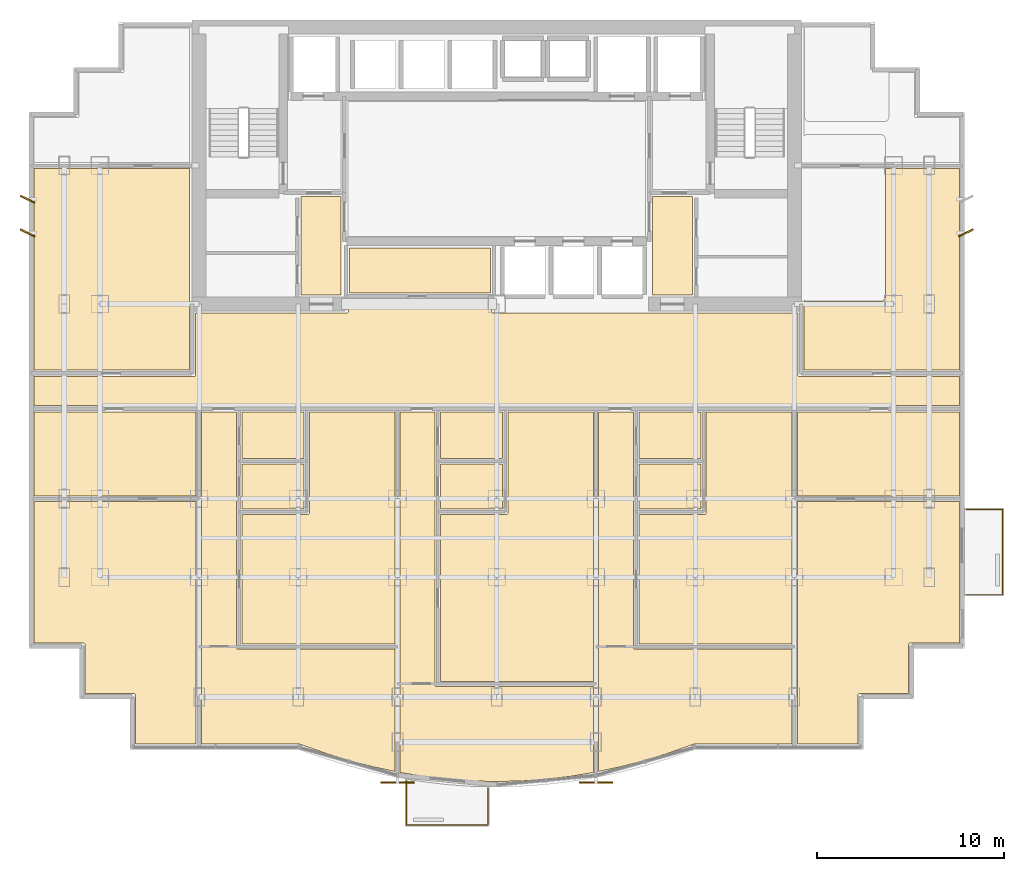
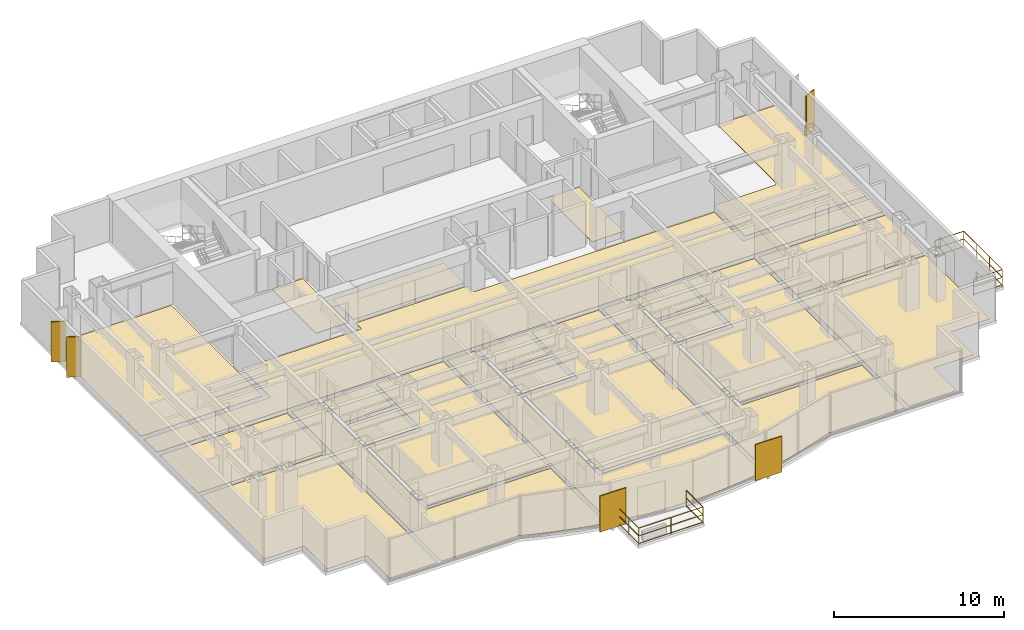
# One storey, part 8 of 9: 22 coverings, 5 shading devices, 2 railings.
"""IFC4 building model written with IfcOpenShell, lengths in metres."""

import ifcopenshell
import ifcopenshell.guid

model = None  # the IFC model being written
_history = None  # IfcOwnerHistory: only IFC2X3 demands one
_inside = {}  # id of a spatial element -> (the spatial element, [elements in it])
_under = {}  # id of a project, library or spatial element -> (it, [spatial elements below it])
_declared = {}  # id of a project -> (the project, [libraries it declares])
_typed = {}  # id of a type object -> (the type object, [elements of that type])
_made_of = {}  # id of a material, layer set ... -> (it, [elements and type objects made of it])


def new_model(schema):
    """Start an empty IFC model of exactly this schema.

    Asked for "IFC4X3", IfcOpenShell would pick the latest addendum, in which some entities
    have other attributes; the version numbers below select the first issue.
    IFC2X3 requires an IfcOwnerHistory on every rooted entity: one is made here for all.
    """
    global model, _history
    if schema == "IFC4X3":
        model = ifcopenshell.file(schema_version=(4, 3, 0, 0))
    else:
        model = ifcopenshell.file(schema=schema)
    _inside.clear()
    _under.clear()
    _declared.clear()
    _typed.clear()
    _made_of.clear()
    _history = None
    if model.schema == "IFC2X3":
        org = make("IfcOrganization", Name="unknown")
        user = make(
            "IfcPersonAndOrganization",
            ThePerson=make("IfcPerson", FamilyName="unknown"),
            TheOrganization=org,
        )
        app = make(
            "IfcApplication",
            ApplicationDeveloper=org,
            Version="unknown",
            ApplicationFullName="unknown",
            ApplicationIdentifier="unknown",
        )
        _history = make(
            "IfcOwnerHistory",
            OwningUser=user,
            OwningApplication=app,
            ChangeAction="ADDED",
            CreationDate=0,
        )
    return model


def make(cls, **values):
    """One entity of the class cls with the attributes given. An attribute that is None is left unset."""
    return model.create_entity(
        cls, **{name: value for name, value in values.items() if value is not None}
    )


def rooted(cls, **values):
    """An entity with a GlobalId (a new one), such as an element, a storey or a relation."""
    return make(cls, GlobalId=ifcopenshell.guid.new(), OwnerHistory=_history, **values)


def si_unit(unit_type, name, prefix=None):
    """IfcSIUnit, for example si_unit("LENGTHUNIT", "METRE", prefix="MILLI")."""
    return make("IfcSIUnit", UnitType=unit_type, Prefix=prefix, Name=name)


def assignment(units):
    """IfcUnitAssignment: the units of a project."""
    return None if units is None else make("IfcUnitAssignment", Units=units)


def point(xyz):
    """IfcCartesianPoint."""
    return None if xyz is None else make("IfcCartesianPoint", Coordinates=xyz)


def direction(xyz):
    """IfcDirection."""
    return None if xyz is None else make("IfcDirection", DirectionRatios=xyz)


def frame(location, z_axis=None, x_axis=None):
    """IfcAxis2Placement3D, a coordinate frame: its origin and axes. An axis left out is left unset."""
    return make(
        "IfcAxis2Placement3D",
        Location=point(location),
        Axis=direction(z_axis),
        RefDirection=direction(x_axis),
    )


def frame_2d(location, x_axis=None):
    """IfcAxis2Placement2D, a coordinate frame in the plane: its origin and x axis."""
    return make(
        "IfcAxis2Placement2D", Location=point(location), RefDirection=direction(x_axis)
    )


def origin():
    """The frame at (0, 0, 0) with its axes left unset."""
    return frame((0.0, 0.0, 0.0))


def origin_2d():
    """The frame at (0, 0) in the plane with its x axis left unset."""
    return frame_2d((0.0, 0.0))


def place(relative_to, where):
    """IfcLocalPlacement: puts the frame where relative to a parent placement (None: the world)."""
    return make(
        "IfcLocalPlacement", PlacementRelTo=relative_to, RelativePlacement=where
    )


def context(
    kind, dimensions, precision=None, world=None, true_north=None, identifier=None
):
    """IfcGeometricRepresentationContext, for example the 3D "Model" context."""
    return make(
        "IfcGeometricRepresentationContext",
        ContextIdentifier=identifier,
        ContextType=kind,
        CoordinateSpaceDimension=dimensions,
        Precision=precision,
        WorldCoordinateSystem=world,
        TrueNorth=true_north,
    )


def subcontext(parent, identifier, kind, view, scale=None):
    """IfcGeometricRepresentationSubContext, for example "Body" below "Model"."""
    return make(
        "IfcGeometricRepresentationSubContext",
        ContextIdentifier=identifier,
        ContextType=kind,
        ParentContext=parent,
        TargetScale=scale,
        TargetView=view,
    )


def project(units=None, contexts=None):
    """IfcProject with its units and contexts."""
    return rooted(
        "IfcProject",
        Name="project",
        RepresentationContexts=contexts,
        UnitsInContext=assignment(units),
    )


def spatial(cls, under=None, at=None, **own):
    """A site, building, storey or space (cls), placed at a placement, below another one or the project."""
    s = rooted(cls, ObjectPlacement=at, **own)
    if under is not None:
        _under.setdefault(under.id(), (under, []))[1].append(s)
    return s


def polyline(points):
    """IfcPolyline through the points."""
    return make("IfcPolyline", Points=[point(p) for p in points])


def profile(cls, at=None, kind="AREA", **sizes):
    """A parametric profile (cls). Its sizes go by their IFC names, for example OverallWidth=200.0."""
    return make(cls, ProfileType=kind, Position=at, **sizes)


def rectangle(**sizes):
    """IfcRectangleProfileDef."""
    return profile("IfcRectangleProfileDef", **sizes)


def circle(**sizes):
    """IfcCircleProfileDef."""
    return profile("IfcCircleProfileDef", **sizes)


def outline(outer, holes=None, kind="AREA"):
    """IfcArbitraryClosedProfileDef: a profile drawn as a closed curve; with holes, ...WithVoids."""
    if holes is None:
        return make("IfcArbitraryClosedProfileDef", ProfileType=kind, OuterCurve=outer)
    return make(
        "IfcArbitraryProfileDefWithVoids",
        ProfileType=kind,
        OuterCurve=outer,
        InnerCurves=holes,
    )


def extrude(swept, where, along, depth):
    """IfcExtrudedAreaSolid: the profile swept, set in the frame where, extruded along a direction by depth."""
    return make(
        "IfcExtrudedAreaSolid",
        SweptArea=swept,
        Position=where,
        ExtrudedDirection=direction(along),
        Depth=depth,
    )


def shape(context_of_items, identifier, shape_type, items):
    """IfcShapeRepresentation: the items that make up one representation, for example the "Body"."""
    return make(
        "IfcShapeRepresentation",
        ContextOfItems=context_of_items,
        RepresentationIdentifier=identifier,
        RepresentationType=shape_type,
        Items=items,
    )


def source(mapping_origin, context_of_items, identifier, shape_type, items):
    """IfcRepresentationMap: a shape defined once, which mapped items show again and again."""
    return make(
        "IfcRepresentationMap",
        MappingOrigin=mapping_origin,
        MappedRepresentation=shape(context_of_items, identifier, shape_type, items),
    )


def transform(
    local_origin,
    x_axis=None,
    y_axis=None,
    z_axis=None,
    scale=None,
    scale2=None,
    scale3=None,
    uniform=True,
):
    """IfcCartesianTransformationOperator3D, or its non-uniform kind. x_axis, y_axis, z_axis: its Axis1, 2, 3."""
    if uniform:
        return make(
            "IfcCartesianTransformationOperator3D",
            Axis1=direction(x_axis),
            Axis2=direction(y_axis),
            LocalOrigin=point(local_origin),
            Scale=scale,
            Axis3=direction(z_axis),
        )
    return make(
        "IfcCartesianTransformationOperator3DnonUniform",
        Axis1=direction(x_axis),
        Axis2=direction(y_axis),
        LocalOrigin=point(local_origin),
        Scale=scale,
        Axis3=direction(z_axis),
        Scale2=scale2,
        Scale3=scale3,
    )


def mapped(mapping_source, mapping_target):
    """IfcMappedItem: shows the shape of a source again, moved by a transform."""
    return make(
        "IfcMappedItem", MappingSource=mapping_source, MappingTarget=mapping_target
    )


def material(Name=None, Category=None):
    """IfcMaterial."""
    return make("IfcMaterial", Name=Name, Category=Category)


def layer(
    of_material, thickness, ventilated=None, Name=None, Category=None, Priority=None
):
    """IfcMaterialLayer: one layer of a wall or slab, of a material (None: an air gap)."""
    return make(
        "IfcMaterialLayer",
        Material=of_material,
        LayerThickness=thickness,
        IsVentilated=ventilated,
        Name=Name,
        Category=Category,
        Priority=Priority,
    )


def layer_set(layers, Name=None):
    """IfcMaterialLayerSet."""
    return make("IfcMaterialLayerSet", MaterialLayers=layers, LayerSetName=Name)


def made_of(thing, what):
    """Note that an element or type object is made of a material, layer set ...; save() writes the relation."""
    if what is not None:
        _made_of.setdefault(what.id(), (what, []))[1].append(thing)
    return thing


def type_object(cls, material=None, **own):
    """A type object (cls), such as IfcWallType, which elements share."""
    return made_of(rooted(cls, **own), material)


def element(
    cls,
    number,
    at=None,
    inside=None,
    cuts=None,
    type_object=None,
    material=None,
    context=None,
    identifier="Body",
    shape_type=None,
    held_by="IfcProductDefinitionShape",
    body=None,
    shapes=None,
    **own,
):
    """One element of the class cls, such as IfcWall. Its Tag is "e" and its number.

    at: its placement. inside: the storey or other place that contains it. cuts: it is an
    opening in that element (IfcRelVoidsElement). A single representation is given by context,
    identifier, shape_type and body (its items); several are given by shapes. held_by: the class
    of the entity that holds the representations. save() writes the other relations.
    """
    e = rooted(cls, Tag="e%d" % number, ObjectPlacement=at, **own)
    if body is not None:
        shapes = [shape(context, identifier, shape_type, body)]
    if shapes is not None:
        e.Representation = make(held_by, Representations=shapes)
    if inside is not None:
        _inside.setdefault(inside.id(), (inside, []))[1].append(e)
    if cuts is not None:
        rooted(
            "IfcRelVoidsElement", RelatingBuildingElement=cuts, RelatedOpeningElement=e
        )
    if type_object is not None:
        _typed.setdefault(type_object.id(), (type_object, []))[1].append(e)
    return made_of(e, material)


def aggregate(whole, parts):
    """IfcRelAggregates: a whole, such as a stair, and the parts it consists of."""
    return rooted("IfcRelAggregates", RelatingObject=whole, RelatedObjects=parts)


def save(model, path):
    """Write the relations noted so far, then the file.

    IfcRelAggregates (storeys below a building ...), IfcRelContainedInSpatialStructure (elements
    in a storey), IfcRelDefinesByType, IfcRelAssociatesMaterial and IfcRelDeclares: one each for
    every whole, place, type object, material and project.
    """
    for whole, parts in _under.values():
        aggregate(whole, parts)
    for where, things in _inside.values():
        rooted(
            "IfcRelContainedInSpatialStructure",
            RelatedElements=things,
            RelatingStructure=where,
        )
    for kind, things in _typed.values():
        rooted("IfcRelDefinesByType", RelatedObjects=things, RelatingType=kind)
    for what, things in _made_of.values():
        rooted("IfcRelAssociatesMaterial", RelatedObjects=things, RelatingMaterial=what)
    for by, libraries in _declared.values():
        rooted("IfcRelDeclares", RelatingContext=by, RelatedDefinitions=libraries)
    model.write(path)


model = new_model("IFC4")

# Units and contexts
model_context = context("Model", 3, precision=1e-05, world=origin(), true_north=direction((0.0, 1.0)))
body_context = subcontext(model_context, "Body", "Model", "MODEL_VIEW")
ifc_project = project(units=[si_unit("LENGTHUNIT", "METRE"), si_unit("AREAUNIT", "SQUARE_METRE"), si_unit("VOLUMEUNIT", "CUBIC_METRE"), si_unit("PLANEANGLEUNIT", "RADIAN"), si_unit("MASSUNIT", "GRAM", prefix="KILO")], contexts=[model_context])

# Site, building, storey
site_placement = place(None, origin())
site = spatial("IfcSite", under=ifc_project, at=site_placement, CompositionType="ELEMENT")
building_placement = place(site_placement, origin())
building = spatial("IfcBuilding", under=site, at=building_placement, Name="Qianlan Lanfeng Residences", CompositionType="ELEMENT")
storey_placement = place(building_placement, frame((0.0, 0.0, 108.10009765625)))
storey = spatial("IfcBuildingStorey", under=building, at=storey_placement, Name="L29", CompositionType="ELEMENT", Elevation=108.10009765625)

# Coverings
ifc_material_1 = material(Name="Honed Taitung Granite Stone Flooring", Category="masonry")
ifc_layer_1 = layer(ifc_material_1, 0.030029296875)
ifc_layer_set_1 = layer_set([ifc_layer_1], Name="Honed Taitung Granite Stone Flooring")
covering_type_1 = type_object("IfcCoveringType", Name="FLR-STN-30", PredefinedType="FLOORING", material=ifc_layer_set_1)
covering_1_placement = place(storey_placement, origin())
element("IfcCovering", 1, at=covering_1_placement, inside=storey, type_object=covering_type_1, Name="L29 Residential Corridor Floor Finish", PredefinedType="FLOORING", context=body_context, shape_type="SweptSolid", body=[
    extrude(outline(polyline([(1.7900390625, 19.780029296875), (51.2099609375, 19.780029296875), (51.2099609375, 21.320068359375), (42.6650390625, 21.320068359375), (42.657958984375, 21.320068359375), (42.65087890625, 21.321044921875), (42.64501953125, 21.322998046875), (42.637939453125, 21.324951171875), (42.632080078125, 21.327880859375), (42.6259765625, 21.33203125), (42.62109375, 21.3359375), (42.615966796875, 21.341064453125), (42.611083984375, 21.345947265625), (42.60693359375, 21.35107421875), (42.60302734375, 21.35693359375), (42.60009765625, 21.363037109375), (42.597900390625, 21.3701171875), (42.595947265625, 21.3759765625), (42.594970703125, 21.383056640625), (42.594970703125, 21.389892578125), (42.594970703125, 24.72509765625), (26.300048828125, 24.72509765625), (26.29296875, 24.72509765625), (26.285888671875, 24.72607421875), (26.280029296875, 24.72802734375), (26.27294921875, 24.72998046875), (26.26708984375, 24.73291015625), (26.260986328125, 24.737060546875), (26.256103515625, 24.740966796875), (26.2509765625, 24.74609375), (26.24609375, 24.7509765625), (26.241943359375, 24.756103515625), (26.238037109375, 24.761962890625), (26.235107421875, 24.76806640625), (26.23291015625, 24.77490234375), (26.23095703125, 24.781005859375), (26.22998046875, 24.7880859375), (26.22998046875, 24.794921875), (26.22998046875, 25.429931640625), (18.570068359375, 25.429931640625), (18.570068359375, 24.794921875), (18.570068359375, 24.7880859375), (18.569091796875, 24.781005859375), (18.56689453125, 24.77490234375), (18.56494140625, 24.76806640625), (18.56201171875, 24.761962890625), (18.55810546875, 24.756103515625), (18.553955078125, 24.7509765625), (18.549072265625, 24.74609375), (18.5439453125, 24.740966796875), (18.5390625, 24.737060546875), (18.532958984375, 24.73291015625), (18.527099609375, 24.72998046875), (18.52001953125, 24.72802734375), (18.513916015625, 24.72607421875), (18.507080078125, 24.72509765625), (18.5, 24.72509765625), (10.405029296875, 24.72509765625), (10.405029296875, 21.389892578125), (10.405029296875, 21.383056640625), (10.404052734375, 21.3759765625), (10.402099609375, 21.3701171875), (10.39990234375, 21.363037109375), (10.39697265625, 21.35693359375), (10.39306640625, 21.35107421875), (10.388916015625, 21.345947265625), (10.384033203125, 21.341064453125), (10.37890625, 21.3359375), (10.3740234375, 21.33203125), (10.367919921875, 21.327880859375), (10.362060546875, 21.324951171875), (10.35498046875, 21.322998046875), (10.34912109375, 21.321044921875), (10.342041015625, 21.320068359375), (10.3349609375, 21.320068359375), (1.7900390625, 21.320068359375), (1.7900390625, 19.780029296875)])), origin(), (0.0, 0.0, 1.0), 0.02978515625),
])
covering_2_placement = place(storey_placement, origin())
element("IfcCovering", 2, at=covering_2_placement, inside=storey, type_object=covering_type_1, Name="L29 Lift Lobby Floor Finish", PredefinedType="FLOORING", context=body_context, shape_type="SweptSolid", body=[
    extrude(outline(polyline([(16.030029296875, 25.68505859375), (18.169921875, 25.68505859375), (18.169921875, 30.949951171875), (16.030029296875, 30.949951171875), (16.030029296875, 25.68505859375)])), origin(), (0.0, 0.0, 1.0), 0.02978515625),
])
covering_3_placement = place(storey_placement, origin())
element("IfcCovering", 3, at=covering_3_placement, inside=storey, type_object=covering_type_1, Name="L29 Lift Lobby Floor Finish", PredefinedType="FLOORING", context=body_context, shape_type="SweptSolid", body=[
    extrude(outline(polyline([(34.830078125, 25.68505859375), (36.969970703125, 25.68505859375), (36.969970703125, 30.949951171875), (34.830078125, 30.949951171875), (34.830078125, 25.68505859375)])), origin(), (0.0, 0.0, 1.0), 0.02978515625),
])
ifc_material_2 = material(Name="Slip-Resistant Porcelain Tile Flooring")
ifc_layer_2 = layer(ifc_material_2, 0.02001953125)
ifc_layer_set_2 = layer_set([ifc_layer_2], Name="Slip-Resistant Porcelain Tile Flooring")
covering_type_2 = type_object("IfcCoveringType", Name="FLR-TIL-20", PredefinedType="FLOORING", material=ifc_layer_set_2)
covering_4_placement = place(storey_placement, origin())
element("IfcCovering", 4, at=covering_4_placement, inside=storey, type_object=covering_type_2, Name="L29 Kitchen Floor Finish", PredefinedType="FLOORING", context=body_context, shape_type="SweptSolid", body=[
    extrude(outline(polyline([(12.889892578125, 14.239990234375), (16.2099609375, 14.239990234375), (16.2099609375, 16.659912109375), (12.889892578125, 16.659912109375), (12.889892578125, 14.239990234375)])), origin(), (0.0, 0.0, 1.0), 0.02001953125),
])
covering_5_placement = place(storey_placement, origin())
element("IfcCovering", 5, at=covering_5_placement, inside=storey, type_object=covering_type_2, Name="L29 Bathroom Floor Finish", PredefinedType="FLOORING", context=body_context, shape_type="SweptSolid", body=[
    extrude(outline(polyline([(12.889892578125, 16.93994140625), (16.2099609375, 16.93994140625), (16.2099609375, 19.429931640625), (12.889892578125, 19.429931640625), (12.889892578125, 16.93994140625)])), origin(), (0.0, 0.0, 1.0), 0.02001953125),
])
covering_6_placement = place(storey_placement, origin())
element("IfcCovering", 6, at=covering_6_placement, inside=storey, type_object=covering_type_2, Name="L29 Kitchen Floor Finish", PredefinedType="FLOORING", context=body_context, shape_type="SweptSolid", body=[
    extrude(outline(polyline([(23.489990234375, 14.239990234375), (26.81005859375, 14.239990234375), (26.81005859375, 16.659912109375), (23.489990234375, 16.659912109375), (23.489990234375, 14.239990234375)])), origin(), (0.0, 0.0, 1.0), 0.02001953125),
])
covering_7_placement = place(storey_placement, origin())
element("IfcCovering", 7, at=covering_7_placement, inside=storey, type_object=covering_type_2, Name="L29 Bathroom Floor Finish", PredefinedType="FLOORING", context=body_context, shape_type="SweptSolid", body=[
    extrude(outline(polyline([(23.489990234375, 16.93994140625), (26.81005859375, 16.93994140625), (26.81005859375, 19.429931640625), (23.489990234375, 19.429931640625), (23.489990234375, 16.93994140625)])), origin(), (0.0, 0.0, 1.0), 0.02001953125),
])
covering_8_placement = place(storey_placement, origin())
element("IfcCovering", 8, at=covering_8_placement, inside=storey, type_object=covering_type_2, Name="L29 Kitchen Floor Finish", PredefinedType="FLOORING", context=body_context, shape_type="SweptSolid", body=[
    extrude(outline(polyline([(34.090087890625, 14.239990234375), (37.409912109375, 14.239990234375), (37.409912109375, 16.659912109375), (34.090087890625, 16.659912109375), (34.090087890625, 14.239990234375)])), origin(), (0.0, 0.0, 1.0), 0.02001953125),
])
covering_9_placement = place(storey_placement, origin())
element("IfcCovering", 9, at=covering_9_placement, inside=storey, type_object=covering_type_2, Name="L29 Bathroom Floor Finish", PredefinedType="FLOORING", context=body_context, shape_type="SweptSolid", body=[
    extrude(outline(polyline([(34.090087890625, 16.93994140625), (37.409912109375, 16.93994140625), (37.409912109375, 19.429931640625), (34.090087890625, 19.429931640625), (34.090087890625, 16.93994140625)])), origin(), (0.0, 0.0, 1.0), 0.02001953125),
])
ifc_material_3 = material(Name="Engineered Smoked Oak Timber Flooring", Category="wood")
ifc_layer_3 = layer(ifc_material_3, 0.02197265625)
ifc_layer_set_3 = layer_set([ifc_layer_3], Name="Engineered Smoked Oak Timber Flooring")
covering_type_3 = type_object("IfcCoveringType", Name="FLR-TIM-22", PredefinedType="FLOORING", material=ifc_layer_set_3)
covering_10_placement = place(storey_placement, origin())
element("IfcCovering", 10, at=covering_10_placement, inside=storey, type_object=covering_type_3, Name="L29 Resident Study Salon Floor Finish", PredefinedType="FLOORING", context=body_context, shape_type="SweptSolid", body=[
    extrude(outline(polyline([(18.6298828125, 25.800048828125), (26.169921875, 25.800048828125), (26.169921875, 28.205078125), (18.6298828125, 28.205078125), (18.6298828125, 25.800048828125)])), origin(), (0.0, 0.0, 1.0), 0.02197265625),
])
covering_11_placement = place(storey_placement, origin())
element("IfcCovering", 11, at=covering_11_placement, inside=storey, type_object=covering_type_3, Name="L29 Studio Living Room Floor Finish", PredefinedType="FLOORING", context=body_context, shape_type="SweptSolid", body=[
    extrude(outline(polyline([(21.070068359375, 0.22607421875), (21.070068359375, 6.762939453125), (12.679931640625, 6.762939453125), (12.673095703125, 6.762939453125), (12.666015625, 6.763916015625), (12.659912109375, 6.76611328125), (12.653076171875, 6.76806640625), (12.64697265625, 6.77099609375), (12.64111328125, 6.77490234375), (12.635986328125, 6.779052734375), (12.631103515625, 6.783935546875), (12.6259765625, 6.7890625), (12.6220703125, 6.7939453125), (12.617919921875, 6.800048828125), (12.614990234375, 6.805908203125), (12.613037109375, 6.81298828125), (12.611083984375, 6.819091796875), (12.610107421875, 6.825927734375), (12.610107421875, 6.8330078125), (12.610107421875, 19.429931640625), (10.72998046875, 19.429931640625), (10.72998046875, 1.68994140625), (15.9580078125, 1.68994140625), (15.966064453125, 1.68994140625), (15.97412109375, 1.68798828125), (15.98095703125, 1.68603515625), (17.3330078125, 1.2060546875), (18.64404296875, 0.803955078125), (19.9541015625, 0.462890625), (21.070068359375, 0.22607421875)])), origin(), (0.0, 0.0, 1.0), 0.02197265625),
])
covering_12_placement = place(storey_placement, origin())
element("IfcCovering", 12, at=covering_12_placement, inside=storey, type_object=covering_type_3, Name="L29 Villa Family Sitting Room Floor Finish", PredefinedType="FLOORING", context=body_context, shape_type="SweptSolid", body=[
    extrude(outline(polyline([(12.889892578125, 7.04296875), (21.070068359375, 7.04296875), (21.070068359375, 19.429931640625), (16.489990234375, 19.429931640625), (16.489990234375, 14.030029296875), (16.489990234375, 14.02294921875), (16.489013671875, 14.01611328125), (16.487060546875, 14.010009765625), (16.485107421875, 14.0029296875), (16.48193359375, 13.9970703125), (16.47802734375, 13.990966796875), (16.47412109375, 13.986083984375), (16.468994140625, 13.98095703125), (16.464111328125, 13.97607421875), (16.458984375, 13.971923828125), (16.452880859375, 13.968017578125), (16.447021484375, 13.965087890625), (16.43994140625, 13.962890625), (16.43408203125, 13.9609375), (16.427001953125, 13.9599609375), (16.419921875, 13.9599609375), (12.889892578125, 13.9599609375), (12.889892578125, 7.04296875)])), origin(), (0.0, 0.0, 1.0), 0.02197265625),
])
covering_13_placement = place(storey_placement, origin())
element("IfcCovering", 13, at=covering_13_placement, inside=storey, type_object=covering_type_3, Name="L29 Studio Living Room Floor Finish", PredefinedType="FLOORING", context=body_context, shape_type="SweptSolid", body=[
    extrude(outline(polyline([(31.669921875, 0.174072265625), (31.669921875, 4.762939453125), (23.280029296875, 4.762939453125), (23.27294921875, 4.762939453125), (23.26611328125, 4.763916015625), (23.260009765625, 4.76611328125), (23.2529296875, 4.76806640625), (23.2470703125, 4.77099609375), (23.240966796875, 4.77490234375), (23.236083984375, 4.779052734375), (23.23095703125, 4.783935546875), (23.22607421875, 4.7890625), (23.221923828125, 4.7939453125), (23.218017578125, 4.800048828125), (23.215087890625, 4.805908203125), (23.212890625, 4.81298828125), (23.2109375, 4.819091796875), (23.2099609375, 4.825927734375), (23.2099609375, 4.8330078125), (23.2099609375, 19.429931640625), (21.330078125, 19.429931640625), (21.330078125, 0.174072265625), (22.572998046875, -0.031982421875), (23.882080078125, -0.18603515625), (25.19091796875, -0.279052734375), (26.5, -0.31005859375), (27.80810546875, -0.279052734375), (29.117919921875, -0.18603515625), (30.426025390625, -0.031982421875), (31.669921875, 0.174072265625)])), origin(), (0.0, 0.0, 1.0), 0.02197265625),
])
covering_14_placement = place(storey_placement, origin())
element("IfcCovering", 14, at=covering_14_placement, inside=storey, type_object=covering_type_3, Name="L29 Villa Family Sitting Room Floor Finish", PredefinedType="FLOORING", context=body_context, shape_type="SweptSolid", body=[
    extrude(outline(polyline([(23.489990234375, 5.04296875), (31.669921875, 5.04296875), (31.669921875, 19.429931640625), (27.090087890625, 19.429931640625), (27.090087890625, 14.030029296875), (27.090087890625, 14.02294921875), (27.089111328125, 14.01611328125), (27.0869140625, 14.010009765625), (27.0849609375, 14.0029296875), (27.08203125, 13.9970703125), (27.077880859375, 13.990966796875), (27.073974609375, 13.986083984375), (27.069091796875, 13.98095703125), (27.06396484375, 13.97607421875), (27.05908203125, 13.971923828125), (27.052978515625, 13.968017578125), (27.047119140625, 13.965087890625), (27.0400390625, 13.962890625), (27.033935546875, 13.9609375), (27.027099609375, 13.9599609375), (27.02001953125, 13.9599609375), (23.489990234375, 13.9599609375), (23.489990234375, 5.04296875)])), origin(), (0.0, 0.0, 1.0), 0.02197265625),
])
covering_15_placement = place(storey_placement, origin())
element("IfcCovering", 15, at=covering_15_placement, inside=storey, type_object=covering_type_3, Name="L29 Studio Living Room Floor Finish", PredefinedType="FLOORING", context=body_context, shape_type="SweptSolid", body=[
    extrude(outline(polyline([(42.27001953125, 1.68994140625), (42.27001953125, 6.762939453125), (33.8798828125, 6.762939453125), (33.873046875, 6.762939453125), (33.865966796875, 6.763916015625), (33.860107421875, 6.76611328125), (33.85302734375, 6.76806640625), (33.846923828125, 6.77099609375), (33.841064453125, 6.77490234375), (33.8359375, 6.779052734375), (33.8310546875, 6.783935546875), (33.825927734375, 6.7890625), (33.822021484375, 6.7939453125), (33.818115234375, 6.800048828125), (33.81494140625, 6.805908203125), (33.81298828125, 6.81298828125), (33.81103515625, 6.819091796875), (33.81005859375, 6.825927734375), (33.81005859375, 6.8330078125), (33.81005859375, 19.429931640625), (31.929931640625, 19.429931640625), (31.929931640625, 0.22607421875), (33.044921875, 0.462890625), (34.35595703125, 0.803955078125), (35.6669921875, 1.2060546875), (37.01904296875, 1.68603515625), (37.02587890625, 1.68798828125), (37.033935546875, 1.68994140625), (37.0419921875, 1.68994140625), (42.27001953125, 1.68994140625)])), origin(), (0.0, 0.0, 1.0), 0.02197265625),
])
covering_16_placement = place(storey_placement, origin())
element("IfcCovering", 16, at=covering_16_placement, inside=storey, type_object=covering_type_3, Name="L29 Villa Family Sitting Room Floor Finish", PredefinedType="FLOORING", context=body_context, shape_type="SweptSolid", body=[
    extrude(outline(polyline([(34.090087890625, 7.04296875), (42.27001953125, 7.04296875), (42.27001953125, 19.429931640625), (37.68994140625, 19.429931640625), (37.68994140625, 14.030029296875), (37.68994140625, 14.02294921875), (37.68896484375, 14.01611328125), (37.68701171875, 14.010009765625), (37.68505859375, 14.0029296875), (37.681884765625, 13.9970703125), (37.677978515625, 13.990966796875), (37.674072265625, 13.986083984375), (37.6689453125, 13.98095703125), (37.6640625, 13.97607421875), (37.658935546875, 13.971923828125), (37.653076171875, 13.968017578125), (37.64697265625, 13.965087890625), (37.639892578125, 13.962890625), (37.634033203125, 13.9609375), (37.626953125, 13.9599609375), (37.6201171875, 13.9599609375), (34.090087890625, 13.9599609375), (34.090087890625, 7.04296875)])), origin(), (0.0, 0.0, 1.0), 0.02197265625),
])
covering_17_placement = place(storey_placement, origin())
element("IfcCovering", 17, at=covering_17_placement, inside=storey, type_object=covering_type_3, Name="L29 Sunroom Floor Finish", PredefinedType="FLOORING", context=body_context, shape_type="SweptSolid", body=[
    extrude(outline(polyline([(10.43994140625, 14.64990234375), (1.7900390625, 14.64990234375), (1.7900390625, 7.090087890625), (4.419921875, 7.090087890625), (4.427001953125, 7.090087890625), (4.43408203125, 7.089111328125), (4.43994140625, 7.0869140625), (4.447021484375, 7.0849609375), (4.452880859375, 7.08203125), (4.458984375, 7.077880859375), (4.464111328125, 7.073974609375), (4.468994140625, 7.069091796875), (4.47412109375, 7.06396484375), (4.47802734375, 7.05908203125), (4.48193359375, 7.052978515625), (4.485107421875, 7.047119140625), (4.487060546875, 7.0400390625), (4.489013671875, 7.033935546875), (4.489990234375, 7.027099609375), (4.489990234375, 7.02001953125), (4.489990234375, 4.389892578125), (7.1201171875, 4.389892578125), (7.126953125, 4.389892578125), (7.134033203125, 4.388916015625), (7.139892578125, 4.386962890625), (7.14697265625, 4.385009765625), (7.153076171875, 4.382080078125), (7.158935546875, 4.3779296875), (7.1640625, 4.3740234375), (7.1689453125, 4.368896484375), (7.174072265625, 4.364013671875), (7.177978515625, 4.35888671875), (7.181884765625, 4.35302734375), (7.18505859375, 4.346923828125), (7.18701171875, 4.340087890625), (7.18896484375, 4.333984375), (7.18994140625, 4.326904296875), (7.18994140625, 4.320068359375), (7.18994140625, 1.68994140625), (10.43994140625, 1.68994140625), (10.43994140625, 14.64990234375)])), origin(), (0.0, 0.0, 1.0), 0.02197265625),
])
covering_18_placement = place(storey_placement, origin())
element("IfcCovering", 18, at=covering_18_placement, inside=storey, type_object=covering_type_3, Name="L29 Family Sitting Room Floor Finish", PredefinedType="FLOORING", context=body_context, shape_type="SweptSolid", body=[
    extrude(outline(polyline([(10.43994140625, 19.429931640625), (1.7900390625, 19.429931640625), (1.7900390625, 14.949951171875), (10.43994140625, 14.949951171875), (10.43994140625, 19.429931640625)])), origin(), (0.0, 0.0, 1.0), 0.02197265625),
])
covering_19_placement = place(storey_placement, origin())
element("IfcCovering", 19, at=covering_19_placement, inside=storey, type_object=covering_type_3, Name="L29 Sunroom Floor Finish", PredefinedType="FLOORING", context=body_context, shape_type="SweptSolid", body=[
    extrude(outline(polyline([(51.2099609375, 14.64990234375), (42.56005859375, 14.64990234375), (42.56005859375, 1.68994140625), (45.81005859375, 1.68994140625), (45.81005859375, 4.320068359375), (45.81005859375, 4.326904296875), (45.81103515625, 4.333984375), (45.81298828125, 4.340087890625), (45.81494140625, 4.346923828125), (45.818115234375, 4.35302734375), (45.822021484375, 4.35888671875), (45.825927734375, 4.364013671875), (45.8310546875, 4.368896484375), (45.8359375, 4.3740234375), (45.841064453125, 4.3779296875), (45.846923828125, 4.382080078125), (45.85302734375, 4.385009765625), (45.860107421875, 4.386962890625), (45.865966796875, 4.388916015625), (45.873046875, 4.389892578125), (45.8798828125, 4.389892578125), (48.510009765625, 4.389892578125), (48.510009765625, 7.02001953125), (48.510009765625, 7.027099609375), (48.510986328125, 7.033935546875), (48.512939453125, 7.0400390625), (48.514892578125, 7.047119140625), (48.51806640625, 7.052978515625), (48.52197265625, 7.05908203125), (48.52587890625, 7.06396484375), (48.531005859375, 7.069091796875), (48.535888671875, 7.073974609375), (48.541015625, 7.077880859375), (48.547119140625, 7.08203125), (48.552978515625, 7.0849609375), (48.56005859375, 7.0869140625), (48.56591796875, 7.089111328125), (48.572998046875, 7.090087890625), (48.580078125, 7.090087890625), (51.2099609375, 7.090087890625), (51.2099609375, 14.64990234375)])), origin(), (0.0, 0.0, 1.0), 0.02197265625),
])
covering_20_placement = place(storey_placement, origin())
element("IfcCovering", 20, at=covering_20_placement, inside=storey, type_object=covering_type_3, Name="L29 Private Study Floor Finish", PredefinedType="FLOORING", context=body_context, shape_type="SweptSolid", body=[
    extrude(outline(polyline([(51.2099609375, 19.429931640625), (42.56005859375, 19.429931640625), (42.56005859375, 14.949951171875), (51.2099609375, 14.949951171875), (51.2099609375, 19.429931640625)])), origin(), (0.0, 0.0, 1.0), 0.02197265625),
])
covering_21_placement = place(storey_placement, origin())
element("IfcCovering", 21, at=covering_21_placement, inside=storey, type_object=covering_type_3, Name="L29 Co-Working Business Suite Floor Finish", PredefinedType="FLOORING", context=body_context, shape_type="SweptSolid", body=[
    extrude(outline(polyline([(10.074951171875, 32.449951171875), (1.7900390625, 32.449951171875), (1.7900390625, 21.679931640625), (10.074951171875, 21.679931640625), (10.074951171875, 32.449951171875)])), origin(), (0.0, 0.0, 1.0), 0.02197265625),
])
covering_22_placement = place(storey_placement, origin())
element("IfcCovering", 22, at=covering_22_placement, inside=storey, type_object=covering_type_3, Name="L29 Co-Working Business Suite Floor Finish", PredefinedType="FLOORING", context=body_context, shape_type="SweptSolid", body=[
    extrude(outline(polyline([(51.2099609375, 32.449951171875), (47.27001953125, 32.449951171875), (47.27001953125, 25.60009765625), (47.26904296875, 25.574951171875), (47.264892578125, 25.551025390625), (47.259033203125, 25.527099609375), (47.2509765625, 25.50390625), (47.239990234375, 25.48193359375), (47.22802734375, 25.4609375), (47.212890625, 25.44091796875), (47.197021484375, 25.423095703125), (47.178955078125, 25.406982421875), (47.158935546875, 25.39208984375), (47.137939453125, 25.3798828125), (47.115966796875, 25.368896484375), (47.093017578125, 25.361083984375), (47.069091796875, 25.35498046875), (47.044921875, 25.35107421875), (47.02001953125, 25.35009765625), (43.080078125, 25.35009765625), (43.054931640625, 25.35107421875), (43.031005859375, 25.35498046875), (43.007080078125, 25.361083984375), (42.98388671875, 25.368896484375), (42.9619140625, 25.3798828125), (42.94091796875, 25.39208984375), (42.925048828125, 25.404052734375), (42.925048828125, 21.679931640625), (51.2099609375, 21.679931640625), (51.2099609375, 32.449951171875)])), origin(), (0.0, 0.0, 1.0), 0.02197265625),
])

# Railings
ifc_material_4 = material(Name="Anodised Bronze Aluminium and Laminated Glass Guard Balustrade", Category="aluminium")
railing_type = type_object("IfcRailingType", Name="GR-EXT-1220", PredefinedType="BALUSTRADE", material=ifc_material_4)
railing_1_placement = place(storey_placement, frame((26.030029296875, -0.658935546875, 0.0)))
element("IfcRailing", 23, at=railing_1_placement, inside=storey, type_object=railing_type, Name="L29 Terrace Safety Guard GR-L29-SB-C", PredefinedType="BALUSTRADE", context=body_context, shape_type="SweptSolid", body=[
    extrude(circle(Radius=0.02490234375, at=origin_2d()), frame((0.0, 0.0, 0.0849609375), z_axis=(0.0, -1.0, 0.0), x_axis=(1.0, 0.0, 0.0)), (0.0, 0.0, 1.0), 1.970947265625),
    extrude(circle(Radius=0.02490234375, at=origin_2d()), frame((0.0, 0.0, 0.63427734375), z_axis=(0.0, -1.0, 0.0), x_axis=(1.0, 0.0, 0.0)), (0.0, 0.0, 1.0), 1.970947265625),
    extrude(circle(Radius=0.02490234375, at=origin_2d()), frame((0.0, 0.0, 1.19482421875), z_axis=(0.0, -1.0, 0.0), x_axis=(1.0, 0.0, 0.0)), (0.0, 0.0, 1.0), 1.970947265625),
    extrude(circle(Radius=0.02490234375, at=origin_2d()), frame((0.0, -1.970947265625, 0.0849609375), z_axis=(-1.0, 0.0, 0.0), x_axis=(0.0, -1.0, 0.0)), (0.0, 0.0, 1.0), 4.360107421875),
    extrude(circle(Radius=0.02490234375, at=origin_2d()), frame((0.0, -1.970947265625, 0.63427734375), z_axis=(-1.0, 0.0, 0.0), x_axis=(0.0, -1.0, 0.0)), (0.0, 0.0, 1.0), 4.360107421875),
    extrude(circle(Radius=0.02490234375, at=origin_2d()), frame((0.0, -1.970947265625, 1.19482421875), z_axis=(-1.0, 0.0, 0.0), x_axis=(0.0, -1.0, 0.0)), (0.0, 0.0, 1.0), 4.360107421875),
    extrude(circle(Radius=0.02490234375, at=origin_2d()), frame((-4.360107421875, -1.970947265625, 0.0849609375), z_axis=(0.0, 1.0, 0.0), x_axis=(-1.0, 0.0, 0.0)), (0.0, 0.0, 1.0), 2.3818359375),
    extrude(circle(Radius=0.02490234375, at=origin_2d()), frame((-4.360107421875, -1.970947265625, 0.63427734375), z_axis=(0.0, 1.0, 0.0), x_axis=(-1.0, 0.0, 0.0)), (0.0, 0.0, 1.0), 2.3818359375),
    extrude(circle(Radius=0.02490234375, at=origin_2d()), frame((-4.360107421875, -1.970947265625, 1.19482421875), z_axis=(0.0, 1.0, 0.0), x_axis=(-1.0, 0.0, 0.0)), (0.0, 0.0, 1.0), 2.3818359375),
    extrude(circle(Radius=0.02099609375, at=origin_2d()), origin(), (0.0, 0.0, 1.0), 1.169921875),
    extrude(circle(Radius=0.02099609375, at=origin_2d()), frame((0.0, -1.970947265625, 0.0)), (0.0, 0.0, 1.0), 1.169921875),
    extrude(circle(Radius=0.02099609375, at=origin_2d()), frame((-2.18017578125, -1.970947265625, 0.0)), (0.0, 0.0, 1.0), 1.169921875),
    extrude(circle(Radius=0.02099609375, at=origin_2d()), frame((-4.360107421875, -1.970947265625, 0.0)), (0.0, 0.0, 1.0), 1.169921875),
    extrude(circle(Radius=0.02099609375, at=origin_2d()), frame((-4.360107421875, -0.780029296875, 0.0)), (0.0, 0.0, 1.0), 1.169921875),
    extrude(circle(Radius=0.02099609375, at=origin_2d()), frame((-4.360107421875, 0.410888671875, 0.0)), (0.0, 0.0, 1.0), 1.169921875),
])
railing_2_placement = place(storey_placement, frame((51.570068359375, 14.22998046875, 0.0)))
element("IfcRailing", 24, at=railing_2_placement, inside=storey, type_object=railing_type, Name="L29 Terrace Safety Guard GR-L29-EB-S", PredefinedType="BALUSTRADE", context=body_context, shape_type="SweptSolid", body=[
    extrude(circle(Radius=0.02490234375, at=origin_2d()), frame((0.0, 0.0, 0.0849609375), z_axis=(1.0, 0.0, 0.0), x_axis=(0.0, 1.0, 0.0)), (0.0, 0.0, 1.0), 1.9599609375),
    extrude(circle(Radius=0.02490234375, at=origin_2d()), frame((0.0, 0.0, 0.63427734375), z_axis=(1.0, 0.0, 0.0), x_axis=(0.0, 1.0, 0.0)), (0.0, 0.0, 1.0), 1.9599609375),
    extrude(circle(Radius=0.02490234375, at=origin_2d()), frame((0.0, 0.0, 1.19482421875), z_axis=(1.0, 0.0, 0.0), x_axis=(0.0, 1.0, 0.0)), (0.0, 0.0, 1.0), 1.9599609375),
    extrude(circle(Radius=0.02490234375, at=origin_2d()), frame((1.9599609375, 0.0, 0.0849609375), z_axis=(0.0, -1.0, 0.0), x_axis=(1.0, 0.0, 0.0)), (0.0, 0.0, 1.0), 4.56005859375),
    extrude(circle(Radius=0.02490234375, at=origin_2d()), frame((1.9599609375, 0.0, 0.63427734375), z_axis=(0.0, -1.0, 0.0), x_axis=(1.0, 0.0, 0.0)), (0.0, 0.0, 1.0), 4.56005859375),
    extrude(circle(Radius=0.02490234375, at=origin_2d()), frame((1.9599609375, 0.0, 1.19482421875), z_axis=(0.0, -1.0, 0.0), x_axis=(1.0, 0.0, 0.0)), (0.0, 0.0, 1.0), 4.56005859375),
    extrude(circle(Radius=0.02490234375, at=origin_2d()), frame((1.9599609375, -4.56005859375, 0.0849609375), z_axis=(-1.0, 0.0, 0.0), x_axis=(0.0, -1.0, 0.0)), (0.0, 0.0, 1.0), 1.9599609375),
    extrude(circle(Radius=0.02490234375, at=origin_2d()), frame((1.9599609375, -4.56005859375, 0.63427734375), z_axis=(-1.0, 0.0, 0.0), x_axis=(0.0, -1.0, 0.0)), (0.0, 0.0, 1.0), 1.9599609375),
    extrude(circle(Radius=0.02490234375, at=origin_2d()), frame((1.9599609375, -4.56005859375, 1.19482421875), z_axis=(-1.0, 0.0, 0.0), x_axis=(0.0, -1.0, 0.0)), (0.0, 0.0, 1.0), 1.9599609375),
    extrude(circle(Radius=0.02099609375, at=origin_2d()), origin(), (0.0, 0.0, 1.0), 1.169921875),
    extrude(circle(Radius=0.02099609375, at=origin_2d()), frame((1.9599609375, 0.0, 0.0)), (0.0, 0.0, 1.0), 1.169921875),
    extrude(circle(Radius=0.02099609375, at=origin_2d()), frame((1.9599609375, -1.52001953125, 0.0)), (0.0, 0.0, 1.0), 1.169921875),
    extrude(circle(Radius=0.02099609375, at=origin_2d()), frame((1.9599609375, -3.0400390625, 0.0)), (0.0, 0.0, 1.0), 1.169921875),
    extrude(circle(Radius=0.02099609375, at=origin_2d()), frame((1.9599609375, -4.56005859375, 0.0)), (0.0, 0.0, 1.0), 1.169921875),
    extrude(circle(Radius=0.02099609375, at=origin_2d()), frame((0.0, -4.56005859375, 0.0)), (0.0, 0.0, 1.0), 1.169921875),
])

# Shading devices
ifc_material_5 = material(Name="Perforated Bronze Aluminium Solar Screen", Category="aluminium")
shading_device_type_1 = type_object("IfcShadingDeviceType", Name="SCR-BRZ-1800", PredefinedType="JALOUSIE", material=ifc_material_5)
shared_shape_1 = source(origin(), body_context, "Body", "SweptSolid", [
    extrude(rectangle(XDim=1.800048828125, YDim=0.06005859375, at=origin_2d()), origin(), (0.0, 0.0, 1.0), 2.60009765625),
])
for number, where, z_axis, x_axis, name in (
    (25, (21.199951171875, -0.360107421875, -0.000244140625), (0.0, 0.0, 1.0), (1.0, 0.0, 0.0), "L29 Perforated Bronze Solar Screen 1"),
    (26, (31.800048828125, -0.360107421875, -0.000244140625), (0.0, 0.0, 1.0), (1.0, 0.0, 0.0), "L29 Perforated Bronze Solar Screen 2"),
):
    element("IfcShadingDevice", number, at=place(storey_placement, frame(where, z_axis=z_axis, x_axis=x_axis)), inside=storey, type_object=shading_device_type_1, Name=name, PredefinedType="JALOUSIE", context=body_context, shape_type="MappedRepresentation", body=[
        mapped(shared_shape_1, transform((0.0, 0.0, 0.0), scale=1.0)),
    ])
ifc_material_6 = material(Name="Anodised Bronze Aluminium Solar Fin", Category="aluminium")
shading_device_type_2 = type_object("IfcShadingDeviceType", Name="FIN-BRZ-850", PredefinedType="SHUTTER", material=ifc_material_6)
shared_shape_2 = source(origin(), body_context, "Body", "SweptSolid", [
    extrude(rectangle(XDim=0.85009765625, YDim=0.080078125, at=origin_2d()), origin(), (0.0, 0.0, 1.0), 2.89990234375),
])
for number, where, z_axis, x_axis, name in (
    (27, (1.429931640625, 29.0, 0.0), (0.0, 0.0, 1.0), (0.898794046299, -0.438371146789, 0.0), "L29 Raked Bronze Solar Fin W1"),
    (28, (1.429931640625, 30.800048828125, 0.0), (0.0, 0.0, 1.0), (0.898794046299, -0.438371146789, 0.0), "L29 Raked Bronze Solar Fin W2"),
    (29, (51.570068359375, 29.0, 0.0), (0.0, 0.0, 1.0), (0.898794046299, 0.438371146789, 0.0), "L29 Raked Bronze Solar Fin E1"),
):
    element("IfcShadingDevice", number, at=place(storey_placement, frame(where, z_axis=z_axis, x_axis=x_axis)), inside=storey, type_object=shading_device_type_2, Name=name, PredefinedType="SHUTTER", context=body_context, shape_type="MappedRepresentation", body=[
        mapped(shared_shape_2, transform((0.0, 0.0, 0.0), scale=1.0)),
    ])

save(model, "model.ifc")
